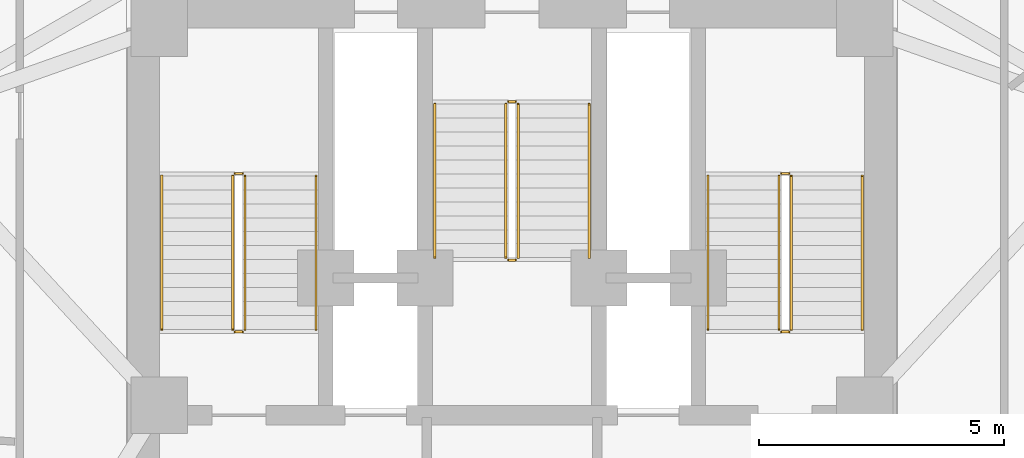
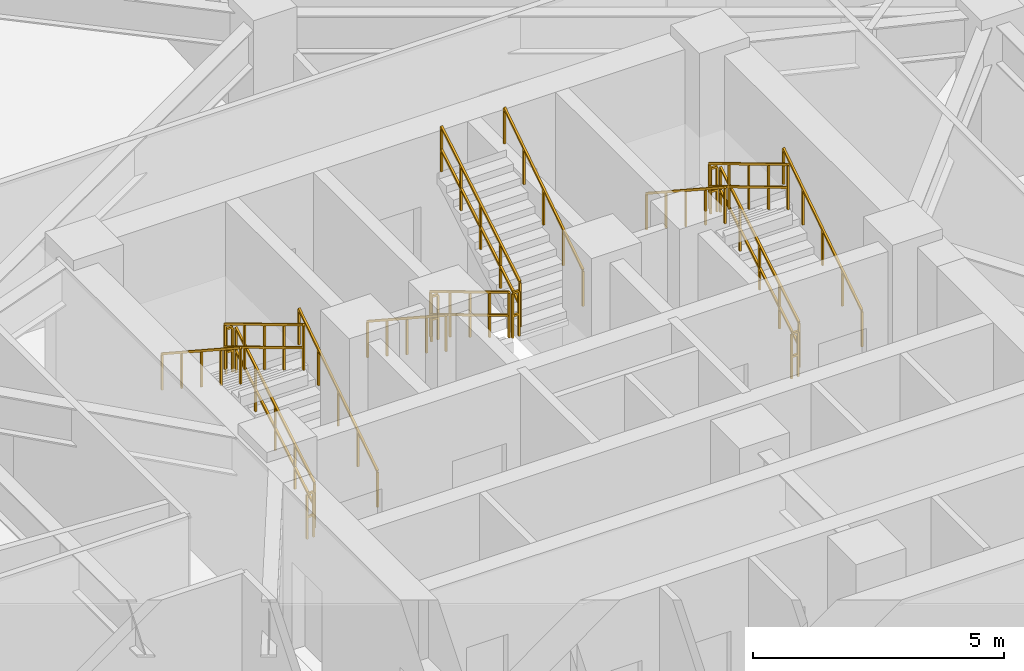
# One storey, part 10 of 11: 18 railings.
"""IFC4 building model written with IfcOpenShell, lengths in metres."""

from ifc_helpers import new_model, si_unit, direction, frame, origin, origin_2d, place, context, subcontext, project, spatial, rectangle, extrude, material, type_object, element, save


model = new_model("IFC4")

# Units and contexts
model_context = context("Model", 3, precision=1e-05, world=origin(), true_north=direction((0.0, 1.0)))
body_context = subcontext(model_context, "Body", "Model", "MODEL_VIEW")
ifc_project = project(units=[si_unit("LENGTHUNIT", "METRE"), si_unit("AREAUNIT", "SQUARE_METRE"), si_unit("VOLUMEUNIT", "CUBIC_METRE"), si_unit("PLANEANGLEUNIT", "RADIAN"), si_unit("MASSUNIT", "GRAM", prefix="KILO")], contexts=[model_context])

# Site, building, storey
site_placement = place(None, origin())
site = spatial("IfcSite", under=ifc_project, at=site_placement, CompositionType="ELEMENT")
building_placement = place(site_placement, origin())
building = spatial("IfcBuilding", under=site, at=building_placement, Name="Apsidion Concourse Tower", CompositionType="ELEMENT")
storey_placement = place(building_placement, frame((0.0, 0.0, 206.5)))
storey = spatial("IfcBuildingStorey", under=building, at=storey_placement, Name="L48", CompositionType="ELEMENT", Elevation=206.5)

# Railings
ifc_material = material(Name="Brushed stainless steel 316", Category="steel")
railing_type_1 = type_object("IfcRailingType", Name="RL-GUARD-1100", PredefinedType="GUARDRAIL", material=ifc_material)
railing_1_placement = place(storey_placement, frame((-5.449951171875, 3.0, 0.1708984375)))
element("IfcRailing", 1, at=railing_1_placement, inside=storey, type_object=railing_type_1, Name="L48 ST1 stair guard 1", PredefinedType="GUARDRAIL", context=body_context, shape_type="SweptSolid", body=[
    extrude(rectangle(XDim=0.048095703125, YDim=0.048095703125, at=origin_2d()), frame((0.0, 0.0, 1.09619140625), z_axis=(0.0, 0.857716804754, 0.514122439544), x_axis=(-1.0, 0.0, 0.0)), (0.0, 0.0, 1.0), 3.655029296875),
    extrude(rectangle(XDim=0.048095703125, YDim=0.048095703125, at=origin_2d()), frame((0.0, 0.0, 0.5361328125), z_axis=(0.0, 0.857716804754, 0.514122439544), x_axis=(-1.0, 0.0, 0.0)), (0.0, 0.0, 1.0), 3.655029296875),
    extrude(rectangle(XDim=0.0419921875, YDim=0.0419921875, at=origin_2d()), origin(), (0.0, 0.0, 1.0), 1.072021484375),
    extrude(rectangle(XDim=0.0419921875, YDim=0.0419921875, at=origin_2d()), frame((0.0, 0.78369140625, 0.4697265625)), (0.0, 0.0, 1.0), 1.072021484375),
    extrude(rectangle(XDim=0.0419921875, YDim=0.0419921875, at=origin_2d()), frame((0.0, 1.5673828125, 0.939453125)), (0.0, 0.0, 1.0), 1.072021484375),
    extrude(rectangle(XDim=0.0419921875, YDim=0.0419921875, at=origin_2d()), frame((0.0, 2.351318359375, 1.409423828125)), (0.0, 0.0, 1.0), 1.072021484375),
    extrude(rectangle(XDim=0.0419921875, YDim=0.0419921875, at=origin_2d()), frame((0.0, 3.135009765625, 1.879150390625)), (0.0, 0.0, 1.0), 1.072021484375),
])
railing_2_placement = place(storey_placement, frame((-5.5, 6.18505859375, 2.050048828125)))
element("IfcRailing", 2, at=railing_2_placement, inside=storey, type_object=railing_type_1, Name="L48 ST1 stair guard 2", PredefinedType="GUARDRAIL", context=body_context, shape_type="SweptSolid", body=[
    extrude(rectangle(XDim=0.048095703125, YDim=0.048095703125, at=origin_2d()), frame((0.0, 0.0, 1.09619140625), z_axis=(-1.0, 0.0, 0.0), x_axis=(0.0, -1.0, 0.0)), (0.0, 0.0, 1.0), 0.14990234375),
    extrude(rectangle(XDim=0.048095703125, YDim=0.048095703125, at=origin_2d()), frame((0.0, 0.0, 0.5361328125), z_axis=(-1.0, 0.0, 0.0), x_axis=(0.0, -1.0, 0.0)), (0.0, 0.0, 1.0), 0.14990234375),
    extrude(rectangle(XDim=0.0419921875, YDim=0.0419921875, at=origin_2d()), origin(), (0.0, 0.0, 1.0), 1.072021484375),
    extrude(rectangle(XDim=0.0419921875, YDim=0.0419921875, at=origin_2d()), frame((-0.14990234375, 0.0, 0.0)), (0.0, 0.0, 1.0), 1.072021484375),
])
railing_3_placement = place(storey_placement, frame((-5.699951171875, 6.135009765625, 2.220947265625)))
element("IfcRailing", 3, at=railing_3_placement, inside=storey, type_object=railing_type_1, Name="L48 ST1 stair guard 3", PredefinedType="GUARDRAIL", context=body_context, shape_type="SweptSolid", body=[
    extrude(rectangle(XDim=0.048095703125, YDim=0.048095703125, at=origin_2d()), frame((0.0, 0.0, 1.09619140625), z_axis=(0.0, -0.857716804754, 0.514122439544), x_axis=(1.0, 0.0, 0.0)), (0.0, 0.0, 1.0), 3.655029296875),
    extrude(rectangle(XDim=0.048095703125, YDim=0.048095703125, at=origin_2d()), frame((0.0, 0.0, 0.5361328125), z_axis=(0.0, -0.857716804754, 0.514122439544), x_axis=(1.0, 0.0, 0.0)), (0.0, 0.0, 1.0), 3.655029296875),
    extrude(rectangle(XDim=0.0419921875, YDim=0.0419921875, at=origin_2d()), origin(), (0.0, 0.0, 1.0), 1.072021484375),
    extrude(rectangle(XDim=0.0419921875, YDim=0.0419921875, at=origin_2d()), frame((0.0, -0.78369140625, 0.4697265625)), (0.0, 0.0, 1.0), 1.072021484375),
    extrude(rectangle(XDim=0.0419921875, YDim=0.0419921875, at=origin_2d()), frame((0.0, -1.5673828125, 0.939453125)), (0.0, 0.0, 1.0), 1.072021484375),
    extrude(rectangle(XDim=0.0419921875, YDim=0.0419921875, at=origin_2d()), frame((0.0, -2.351318359375, 1.409423828125)), (0.0, 0.0, 1.0), 1.072021484375),
    extrude(rectangle(XDim=0.0419921875, YDim=0.0419921875, at=origin_2d()), frame((0.0, -3.135009765625, 1.879150390625)), (0.0, 0.0, 1.0), 1.072021484375),
])
railing_4_placement = place(storey_placement, frame((-5.5, 2.949951171875, 0.0)))
element("IfcRailing", 4, at=railing_4_placement, inside=storey, type_object=railing_type_1, Name="L48 ST1 stair guard 4", PredefinedType="GUARDRAIL", context=body_context, shape_type="SweptSolid", body=[
    extrude(rectangle(XDim=0.048095703125, YDim=0.048095703125, at=origin_2d()), frame((0.0, 0.0, 1.09619140625), z_axis=(-1.0, 0.0, 0.0), x_axis=(0.0, -1.0, 0.0)), (0.0, 0.0, 1.0), 0.14990234375),
    extrude(rectangle(XDim=0.048095703125, YDim=0.048095703125, at=origin_2d()), frame((0.0, 0.0, 0.5361328125), z_axis=(-1.0, 0.0, 0.0), x_axis=(0.0, -1.0, 0.0)), (0.0, 0.0, 1.0), 0.14990234375),
    extrude(rectangle(XDim=0.0419921875, YDim=0.0419921875, at=origin_2d()), origin(), (0.0, 0.0, 1.0), 1.072021484375),
    extrude(rectangle(XDim=0.0419921875, YDim=0.0419921875, at=origin_2d()), frame((-0.14990234375, 0.0, 0.0)), (0.0, 0.0, 1.0), 1.072021484375),
])
railing_5_placement = place(storey_placement, frame((5.699951171875, 3.0, 0.1708984375)))
element("IfcRailing", 5, at=railing_5_placement, inside=storey, type_object=railing_type_1, Name="L48 ST2 stair guard 1", PredefinedType="GUARDRAIL", context=body_context, shape_type="SweptSolid", body=[
    extrude(rectangle(XDim=0.048095703125, YDim=0.048095703125, at=origin_2d()), frame((0.0, 0.0, 1.09619140625), z_axis=(0.0, 0.857716804754, 0.514122439544), x_axis=(-1.0, 0.0, 0.0)), (0.0, 0.0, 1.0), 3.655029296875),
    extrude(rectangle(XDim=0.048095703125, YDim=0.048095703125, at=origin_2d()), frame((0.0, 0.0, 0.5361328125), z_axis=(0.0, 0.857716804754, 0.514122439544), x_axis=(-1.0, 0.0, 0.0)), (0.0, 0.0, 1.0), 3.655029296875),
    extrude(rectangle(XDim=0.0419921875, YDim=0.0419921875, at=origin_2d()), origin(), (0.0, 0.0, 1.0), 1.072021484375),
    extrude(rectangle(XDim=0.0419921875, YDim=0.0419921875, at=origin_2d()), frame((0.0, 0.78369140625, 0.4697265625)), (0.0, 0.0, 1.0), 1.072021484375),
    extrude(rectangle(XDim=0.0419921875, YDim=0.0419921875, at=origin_2d()), frame((0.0, 1.5673828125, 0.939453125)), (0.0, 0.0, 1.0), 1.072021484375),
    extrude(rectangle(XDim=0.0419921875, YDim=0.0419921875, at=origin_2d()), frame((0.0, 2.351318359375, 1.409423828125)), (0.0, 0.0, 1.0), 1.072021484375),
    extrude(rectangle(XDim=0.0419921875, YDim=0.0419921875, at=origin_2d()), frame((0.0, 3.135009765625, 1.879150390625)), (0.0, 0.0, 1.0), 1.072021484375),
])
railing_6_placement = place(storey_placement, frame((5.64990234375, 6.18505859375, 2.050048828125)))
element("IfcRailing", 6, at=railing_6_placement, inside=storey, type_object=railing_type_1, Name="L48 ST2 stair guard 2", PredefinedType="GUARDRAIL", context=body_context, shape_type="SweptSolid", body=[
    extrude(rectangle(XDim=0.048095703125, YDim=0.048095703125, at=origin_2d()), frame((0.0, 0.0, 1.09619140625), z_axis=(-1.0, 0.0, 0.0), x_axis=(0.0, -1.0, 0.0)), (0.0, 0.0, 1.0), 0.14990234375),
    extrude(rectangle(XDim=0.048095703125, YDim=0.048095703125, at=origin_2d()), frame((0.0, 0.0, 0.5361328125), z_axis=(-1.0, 0.0, 0.0), x_axis=(0.0, -1.0, 0.0)), (0.0, 0.0, 1.0), 0.14990234375),
    extrude(rectangle(XDim=0.0419921875, YDim=0.0419921875, at=origin_2d()), origin(), (0.0, 0.0, 1.0), 1.072021484375),
    extrude(rectangle(XDim=0.0419921875, YDim=0.0419921875, at=origin_2d()), frame((-0.14990234375, 0.0, 0.0)), (0.0, 0.0, 1.0), 1.072021484375),
])
railing_7_placement = place(storey_placement, frame((5.449951171875, 6.135009765625, 2.220947265625)))
element("IfcRailing", 7, at=railing_7_placement, inside=storey, type_object=railing_type_1, Name="L48 ST2 stair guard 3", PredefinedType="GUARDRAIL", context=body_context, shape_type="SweptSolid", body=[
    extrude(rectangle(XDim=0.048095703125, YDim=0.048095703125, at=origin_2d()), frame((0.0, 0.0, 1.09619140625), z_axis=(0.0, -0.857716804754, 0.514122439544), x_axis=(1.0, 0.0, 0.0)), (0.0, 0.0, 1.0), 3.655029296875),
    extrude(rectangle(XDim=0.048095703125, YDim=0.048095703125, at=origin_2d()), frame((0.0, 0.0, 0.5361328125), z_axis=(0.0, -0.857716804754, 0.514122439544), x_axis=(1.0, 0.0, 0.0)), (0.0, 0.0, 1.0), 3.655029296875),
    extrude(rectangle(XDim=0.0419921875, YDim=0.0419921875, at=origin_2d()), origin(), (0.0, 0.0, 1.0), 1.072021484375),
    extrude(rectangle(XDim=0.0419921875, YDim=0.0419921875, at=origin_2d()), frame((0.0, -0.78369140625, 0.4697265625)), (0.0, 0.0, 1.0), 1.072021484375),
    extrude(rectangle(XDim=0.0419921875, YDim=0.0419921875, at=origin_2d()), frame((0.0, -1.5673828125, 0.939453125)), (0.0, 0.0, 1.0), 1.072021484375),
    extrude(rectangle(XDim=0.0419921875, YDim=0.0419921875, at=origin_2d()), frame((0.0, -2.351318359375, 1.409423828125)), (0.0, 0.0, 1.0), 1.072021484375),
    extrude(rectangle(XDim=0.0419921875, YDim=0.0419921875, at=origin_2d()), frame((0.0, -3.135009765625, 1.879150390625)), (0.0, 0.0, 1.0), 1.072021484375),
])
railing_8_placement = place(storey_placement, frame((5.64990234375, 2.949951171875, 0.0)))
element("IfcRailing", 8, at=railing_8_placement, inside=storey, type_object=railing_type_1, Name="L48 ST2 stair guard 4", PredefinedType="GUARDRAIL", context=body_context, shape_type="SweptSolid", body=[
    extrude(rectangle(XDim=0.048095703125, YDim=0.048095703125, at=origin_2d()), frame((0.0, 0.0, 1.09619140625), z_axis=(-1.0, 0.0, 0.0), x_axis=(0.0, -1.0, 0.0)), (0.0, 0.0, 1.0), 0.14990234375),
    extrude(rectangle(XDim=0.048095703125, YDim=0.048095703125, at=origin_2d()), frame((0.0, 0.0, 0.5361328125), z_axis=(-1.0, 0.0, 0.0), x_axis=(0.0, -1.0, 0.0)), (0.0, 0.0, 1.0), 0.14990234375),
    extrude(rectangle(XDim=0.0419921875, YDim=0.0419921875, at=origin_2d()), origin(), (0.0, 0.0, 1.0), 1.072021484375),
    extrude(rectangle(XDim=0.0419921875, YDim=0.0419921875, at=origin_2d()), frame((-0.14990234375, 0.0, 0.0)), (0.0, 0.0, 1.0), 1.072021484375),
])
railing_9_placement = place(storey_placement, frame((-0.125, 7.60009765625, 0.1708984375)))
element("IfcRailing", 9, at=railing_9_placement, inside=storey, type_object=railing_type_1, Name="L48 ST3 stair guard 1", PredefinedType="GUARDRAIL", context=body_context, shape_type="SweptSolid", body=[
    extrude(rectangle(XDim=0.048095703125, YDim=0.048095703125, at=origin_2d()), frame((0.0, 0.0, 1.09619140625), z_axis=(0.0, -0.857716804754, 0.514122439544), x_axis=(1.0, 0.0, 0.0)), (0.0, 0.0, 1.0), 3.655029296875),
    extrude(rectangle(XDim=0.048095703125, YDim=0.048095703125, at=origin_2d()), frame((0.0, 0.0, 0.5361328125), z_axis=(0.0, -0.857716804754, 0.514122439544), x_axis=(1.0, 0.0, 0.0)), (0.0, 0.0, 1.0), 3.655029296875),
    extrude(rectangle(XDim=0.0419921875, YDim=0.0419921875, at=origin_2d()), origin(), (0.0, 0.0, 1.0), 1.072021484375),
    extrude(rectangle(XDim=0.0419921875, YDim=0.0419921875, at=origin_2d()), frame((0.0, -0.78369140625, 0.4697265625)), (0.0, 0.0, 1.0), 1.072021484375),
    extrude(rectangle(XDim=0.0419921875, YDim=0.0419921875, at=origin_2d()), frame((0.0, -1.5673828125, 0.939453125)), (0.0, 0.0, 1.0), 1.072021484375),
    extrude(rectangle(XDim=0.0419921875, YDim=0.0419921875, at=origin_2d()), frame((0.0, -2.351318359375, 1.409423828125)), (0.0, 0.0, 1.0), 1.072021484375),
    extrude(rectangle(XDim=0.0419921875, YDim=0.0419921875, at=origin_2d()), frame((0.0, -3.135009765625, 1.879150390625)), (0.0, 0.0, 1.0), 1.072021484375),
])
railing_10_placement = place(storey_placement, frame((-0.074951171875, 4.4150390625, 2.050048828125)))
element("IfcRailing", 10, at=railing_10_placement, inside=storey, type_object=railing_type_1, Name="L48 ST3 stair guard 2", PredefinedType="GUARDRAIL", context=body_context, shape_type="SweptSolid", body=[
    extrude(rectangle(XDim=0.048095703125, YDim=0.048095703125, at=origin_2d()), frame((0.0, 0.0, 1.09619140625), z_axis=(1.0, 0.0, 0.0), x_axis=(0.0, 1.0, 0.0)), (0.0, 0.0, 1.0), 0.14990234375),
    extrude(rectangle(XDim=0.048095703125, YDim=0.048095703125, at=origin_2d()), frame((0.0, 0.0, 0.5361328125), z_axis=(1.0, 0.0, 0.0), x_axis=(0.0, 1.0, 0.0)), (0.0, 0.0, 1.0), 0.14990234375),
    extrude(rectangle(XDim=0.0419921875, YDim=0.0419921875, at=origin_2d()), origin(), (0.0, 0.0, 1.0), 1.072021484375),
    extrude(rectangle(XDim=0.0419921875, YDim=0.0419921875, at=origin_2d()), frame((0.14990234375, 0.0, 0.0)), (0.0, 0.0, 1.0), 1.072021484375),
])
railing_11_placement = place(storey_placement, frame((0.125, 4.465087890625, 2.220947265625)))
element("IfcRailing", 11, at=railing_11_placement, inside=storey, type_object=railing_type_1, Name="L48 ST3 stair guard 3", PredefinedType="GUARDRAIL", context=body_context, shape_type="SweptSolid", body=[
    extrude(rectangle(XDim=0.048095703125, YDim=0.048095703125, at=origin_2d()), frame((0.0, 0.0, 1.09619140625), z_axis=(0.0, 0.857716804754, 0.514122439544), x_axis=(-1.0, 0.0, 0.0)), (0.0, 0.0, 1.0), 3.655029296875),
    extrude(rectangle(XDim=0.048095703125, YDim=0.048095703125, at=origin_2d()), frame((0.0, 0.0, 0.5361328125), z_axis=(0.0, 0.857716804754, 0.514122439544), x_axis=(-1.0, 0.0, 0.0)), (0.0, 0.0, 1.0), 3.655029296875),
    extrude(rectangle(XDim=0.0419921875, YDim=0.0419921875, at=origin_2d()), origin(), (0.0, 0.0, 1.0), 1.072021484375),
    extrude(rectangle(XDim=0.0419921875, YDim=0.0419921875, at=origin_2d()), frame((0.0, 0.78369140625, 0.4697265625)), (0.0, 0.0, 1.0), 1.072021484375),
    extrude(rectangle(XDim=0.0419921875, YDim=0.0419921875, at=origin_2d()), frame((0.0, 1.5673828125, 0.939453125)), (0.0, 0.0, 1.0), 1.072021484375),
    extrude(rectangle(XDim=0.0419921875, YDim=0.0419921875, at=origin_2d()), frame((0.0, 2.351318359375, 1.409423828125)), (0.0, 0.0, 1.0), 1.072021484375),
    extrude(rectangle(XDim=0.0419921875, YDim=0.0419921875, at=origin_2d()), frame((0.0, 3.135009765625, 1.879150390625)), (0.0, 0.0, 1.0), 1.072021484375),
])
railing_12_placement = place(storey_placement, frame((-0.074951171875, 7.64990234375, 0.0)))
element("IfcRailing", 12, at=railing_12_placement, inside=storey, type_object=railing_type_1, Name="L48 ST3 stair guard 4", PredefinedType="GUARDRAIL", context=body_context, shape_type="SweptSolid", body=[
    extrude(rectangle(XDim=0.048095703125, YDim=0.048095703125, at=origin_2d()), frame((0.0, 0.0, 1.09619140625), z_axis=(1.0, 0.0, 0.0), x_axis=(0.0, 1.0, 0.0)), (0.0, 0.0, 1.0), 0.14990234375),
    extrude(rectangle(XDim=0.048095703125, YDim=0.048095703125, at=origin_2d()), frame((0.0, 0.0, 0.5361328125), z_axis=(1.0, 0.0, 0.0), x_axis=(0.0, 1.0, 0.0)), (0.0, 0.0, 1.0), 0.14990234375),
    extrude(rectangle(XDim=0.0419921875, YDim=0.0419921875, at=origin_2d()), origin(), (0.0, 0.0, 1.0), 1.072021484375),
    extrude(rectangle(XDim=0.0419921875, YDim=0.0419921875, at=origin_2d()), frame((0.14990234375, 0.0, 0.0)), (0.0, 0.0, 1.0), 1.072021484375),
])
railing_type_2 = type_object("IfcRailingType", Name="RL-HAND-900", PredefinedType="HANDRAIL", material=ifc_material)
railing_13_placement = place(storey_placement, frame((-4.0, 3.0, 0.1708984375)))
element("IfcRailing", 13, at=railing_13_placement, inside=storey, type_object=railing_type_2, Name="L48 ST1 stair handrail 1", PredefinedType="HANDRAIL", context=body_context, shape_type="SweptSolid", body=[
    extrude(rectangle(XDim=0.048095703125, YDim=0.048095703125, at=origin_2d()), frame((0.0, 0.0, 0.8759765625), z_axis=(0.0, 0.836940907821, 0.547293263996), x_axis=(-1.0, 0.0, 0.0)), (0.0, 0.0, 1.0), 3.745849609375),
    extrude(rectangle(XDim=0.0419921875, YDim=0.0419921875, at=origin_2d()), origin(), (0.0, 0.0, 1.0), 0.851806640625),
    extrude(rectangle(XDim=0.0419921875, YDim=0.0419921875, at=origin_2d()), frame((0.0, 0.78369140625, 0.512451171875)), (0.0, 0.0, 1.0), 0.851806640625),
    extrude(rectangle(XDim=0.0419921875, YDim=0.0419921875, at=origin_2d()), frame((0.0, 1.5673828125, 1.02490234375)), (0.0, 0.0, 1.0), 0.851806640625),
    extrude(rectangle(XDim=0.0419921875, YDim=0.0419921875, at=origin_2d()), frame((0.0, 2.351318359375, 1.53759765625)), (0.0, 0.0, 1.0), 0.851806640625),
    extrude(rectangle(XDim=0.0419921875, YDim=0.0419921875, at=origin_2d()), frame((0.0, 3.135009765625, 2.050048828125)), (0.0, 0.0, 1.0), 0.851806640625),
])
railing_14_placement = place(storey_placement, frame((-7.14990234375, 6.135009765625, 2.220947265625)))
element("IfcRailing", 14, at=railing_14_placement, inside=storey, type_object=railing_type_2, Name="L48 ST1 stair handrail 2", PredefinedType="HANDRAIL", context=body_context, shape_type="SweptSolid", body=[
    extrude(rectangle(XDim=0.048095703125, YDim=0.048095703125, at=origin_2d()), frame((0.0, 0.0, 0.8759765625), z_axis=(0.0, -0.836970762213, 0.547247606848), x_axis=(1.0, 0.0, 0.0)), (0.0, 0.0, 1.0), 3.74560546875),
    extrude(rectangle(XDim=0.0419921875, YDim=0.0419921875, at=origin_2d()), origin(), (0.0, 0.0, 1.0), 0.851806640625),
    extrude(rectangle(XDim=0.0419921875, YDim=0.0419921875, at=origin_2d()), frame((0.0, -0.78369140625, 0.512451171875)), (0.0, 0.0, 1.0), 0.851806640625),
    extrude(rectangle(XDim=0.0419921875, YDim=0.0419921875, at=origin_2d()), frame((0.0, -1.5673828125, 1.02490234375)), (0.0, 0.0, 1.0), 0.851806640625),
    extrude(rectangle(XDim=0.0419921875, YDim=0.0419921875, at=origin_2d()), frame((0.0, -2.351318359375, 1.537353515625)), (0.0, 0.0, 1.0), 0.851806640625),
    extrude(rectangle(XDim=0.0419921875, YDim=0.0419921875, at=origin_2d()), frame((0.0, -3.135009765625, 2.0498046875)), (0.0, 0.0, 1.0), 0.851806640625),
])
railing_15_placement = place(storey_placement, frame((7.14990234375, 3.0, 0.1708984375)))
element("IfcRailing", 15, at=railing_15_placement, inside=storey, type_object=railing_type_2, Name="L48 ST2 stair handrail 1", PredefinedType="HANDRAIL", context=body_context, shape_type="SweptSolid", body=[
    extrude(rectangle(XDim=0.048095703125, YDim=0.048095703125, at=origin_2d()), frame((0.0, 0.0, 0.8759765625), z_axis=(0.0, 0.836940907821, 0.547293263996), x_axis=(-1.0, 0.0, 0.0)), (0.0, 0.0, 1.0), 3.745849609375),
    extrude(rectangle(XDim=0.0419921875, YDim=0.0419921875, at=origin_2d()), origin(), (0.0, 0.0, 1.0), 0.851806640625),
    extrude(rectangle(XDim=0.0419921875, YDim=0.0419921875, at=origin_2d()), frame((0.0, 0.78369140625, 0.512451171875)), (0.0, 0.0, 1.0), 0.851806640625),
    extrude(rectangle(XDim=0.0419921875, YDim=0.0419921875, at=origin_2d()), frame((0.0, 1.5673828125, 1.02490234375)), (0.0, 0.0, 1.0), 0.851806640625),
    extrude(rectangle(XDim=0.0419921875, YDim=0.0419921875, at=origin_2d()), frame((0.0, 2.351318359375, 1.53759765625)), (0.0, 0.0, 1.0), 0.851806640625),
    extrude(rectangle(XDim=0.0419921875, YDim=0.0419921875, at=origin_2d()), frame((0.0, 3.135009765625, 2.050048828125)), (0.0, 0.0, 1.0), 0.851806640625),
])
railing_16_placement = place(storey_placement, frame((4.0, 6.135009765625, 2.220947265625)))
element("IfcRailing", 16, at=railing_16_placement, inside=storey, type_object=railing_type_2, Name="L48 ST2 stair handrail 2", PredefinedType="HANDRAIL", context=body_context, shape_type="SweptSolid", body=[
    extrude(rectangle(XDim=0.048095703125, YDim=0.048095703125, at=origin_2d()), frame((0.0, 0.0, 0.8759765625), z_axis=(0.0, -0.836970762213, 0.547247606848), x_axis=(1.0, 0.0, 0.0)), (0.0, 0.0, 1.0), 3.74560546875),
    extrude(rectangle(XDim=0.0419921875, YDim=0.0419921875, at=origin_2d()), origin(), (0.0, 0.0, 1.0), 0.851806640625),
    extrude(rectangle(XDim=0.0419921875, YDim=0.0419921875, at=origin_2d()), frame((0.0, -0.78369140625, 0.512451171875)), (0.0, 0.0, 1.0), 0.851806640625),
    extrude(rectangle(XDim=0.0419921875, YDim=0.0419921875, at=origin_2d()), frame((0.0, -1.5673828125, 1.02490234375)), (0.0, 0.0, 1.0), 0.851806640625),
    extrude(rectangle(XDim=0.0419921875, YDim=0.0419921875, at=origin_2d()), frame((0.0, -2.351318359375, 1.537353515625)), (0.0, 0.0, 1.0), 0.851806640625),
    extrude(rectangle(XDim=0.0419921875, YDim=0.0419921875, at=origin_2d()), frame((0.0, -3.135009765625, 2.0498046875)), (0.0, 0.0, 1.0), 0.851806640625),
])
railing_17_placement = place(storey_placement, frame((-1.574951171875, 7.60009765625, 0.1708984375)))
element("IfcRailing", 17, at=railing_17_placement, inside=storey, type_object=railing_type_2, Name="L48 ST3 stair handrail 1", PredefinedType="HANDRAIL", context=body_context, shape_type="SweptSolid", body=[
    extrude(rectangle(XDim=0.048095703125, YDim=0.048095703125, at=origin_2d()), frame((0.0, 0.0, 0.8759765625), z_axis=(0.0, -0.836940907821, 0.547293263996), x_axis=(1.0, 0.0, 0.0)), (0.0, 0.0, 1.0), 3.745849609375),
    extrude(rectangle(XDim=0.0419921875, YDim=0.0419921875, at=origin_2d()), origin(), (0.0, 0.0, 1.0), 0.851806640625),
    extrude(rectangle(XDim=0.0419921875, YDim=0.0419921875, at=origin_2d()), frame((0.0, -0.78369140625, 0.512451171875)), (0.0, 0.0, 1.0), 0.851806640625),
    extrude(rectangle(XDim=0.0419921875, YDim=0.0419921875, at=origin_2d()), frame((0.0, -1.5673828125, 1.02490234375)), (0.0, 0.0, 1.0), 0.851806640625),
    extrude(rectangle(XDim=0.0419921875, YDim=0.0419921875, at=origin_2d()), frame((0.0, -2.351318359375, 1.53759765625)), (0.0, 0.0, 1.0), 0.851806640625),
    extrude(rectangle(XDim=0.0419921875, YDim=0.0419921875, at=origin_2d()), frame((0.0, -3.135009765625, 2.050048828125)), (0.0, 0.0, 1.0), 0.851806640625),
])
railing_18_placement = place(storey_placement, frame((1.574951171875, 4.465087890625, 2.220947265625)))
element("IfcRailing", 18, at=railing_18_placement, inside=storey, type_object=railing_type_2, Name="L48 ST3 stair handrail 2", PredefinedType="HANDRAIL", context=body_context, shape_type="SweptSolid", body=[
    extrude(rectangle(XDim=0.048095703125, YDim=0.048095703125, at=origin_2d()), frame((0.0, 0.0, 0.8759765625), z_axis=(0.0, 0.836970762213, 0.547247606848), x_axis=(-1.0, 0.0, 0.0)), (0.0, 0.0, 1.0), 3.74560546875),
    extrude(rectangle(XDim=0.0419921875, YDim=0.0419921875, at=origin_2d()), origin(), (0.0, 0.0, 1.0), 0.851806640625),
    extrude(rectangle(XDim=0.0419921875, YDim=0.0419921875, at=origin_2d()), frame((0.0, 0.78369140625, 0.512451171875)), (0.0, 0.0, 1.0), 0.851806640625),
    extrude(rectangle(XDim=0.0419921875, YDim=0.0419921875, at=origin_2d()), frame((0.0, 1.5673828125, 1.02490234375)), (0.0, 0.0, 1.0), 0.851806640625),
    extrude(rectangle(XDim=0.0419921875, YDim=0.0419921875, at=origin_2d()), frame((0.0, 2.351318359375, 1.537353515625)), (0.0, 0.0, 1.0), 0.851806640625),
    extrude(rectangle(XDim=0.0419921875, YDim=0.0419921875, at=origin_2d()), frame((0.0, 3.135009765625, 2.0498046875)), (0.0, 0.0, 1.0), 0.851806640625),
])

save(model, "model.ifc")
